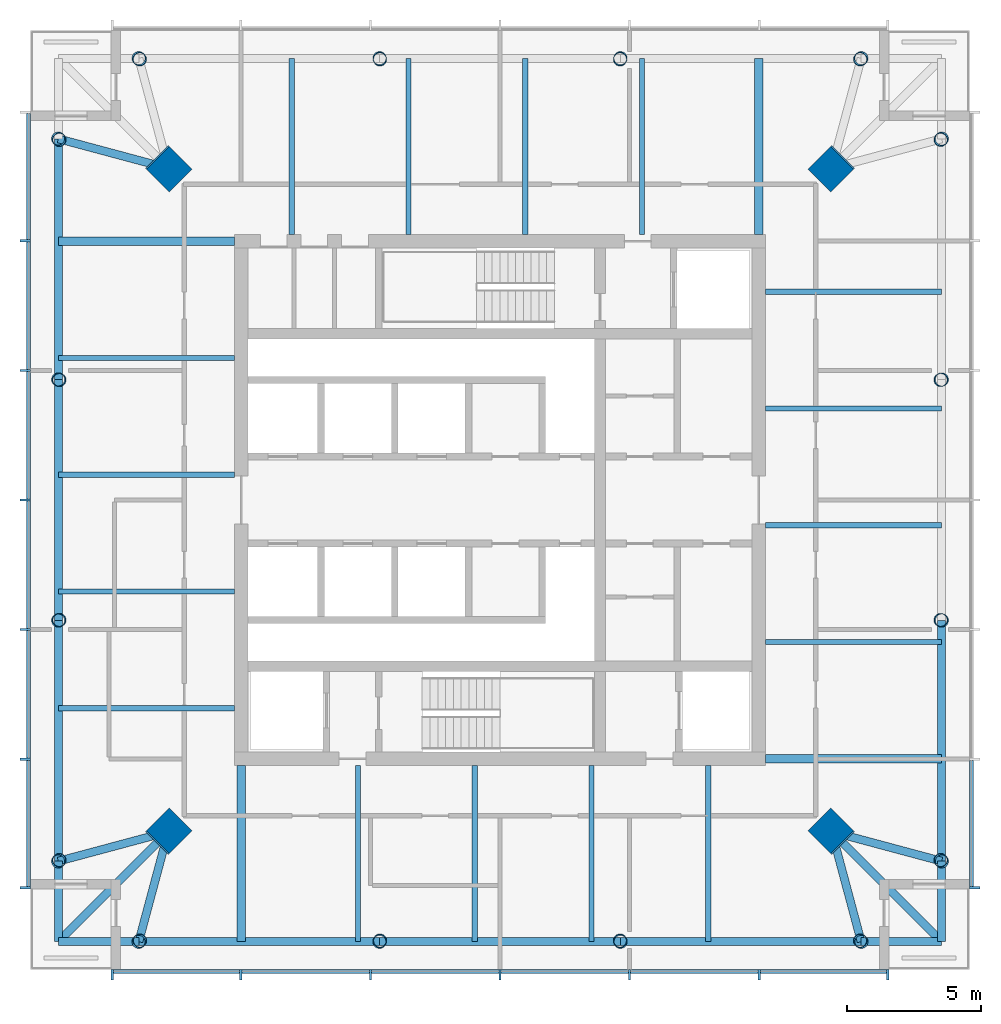
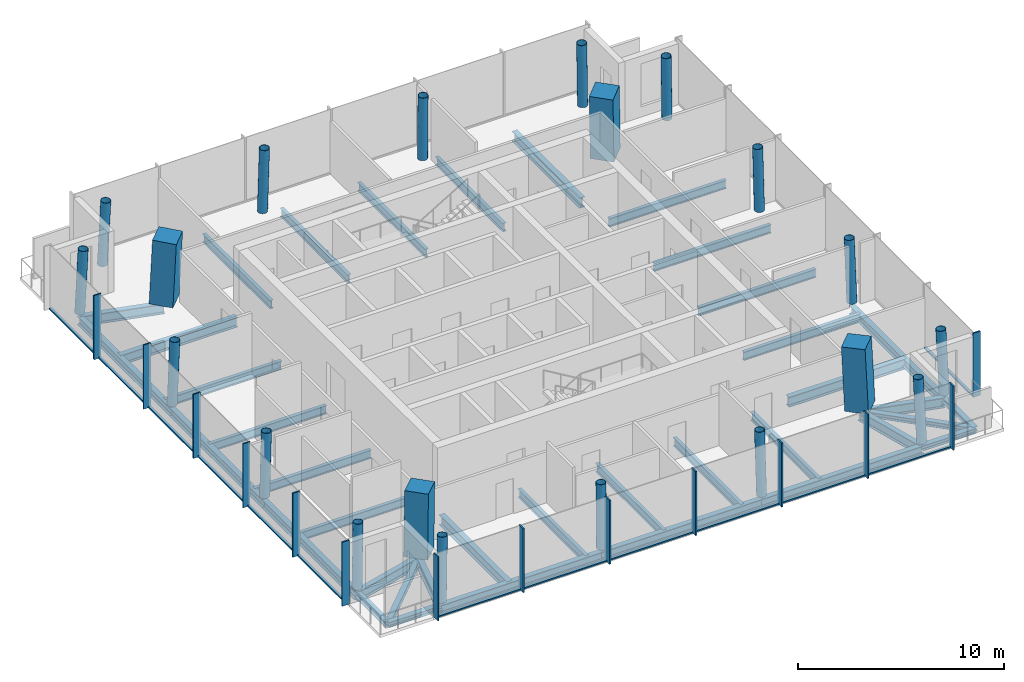
# One storey, part 1 of 7: 38 beams, 27 members, 20 columns, 3 elements without a shape of their own.
"""IFC4 building model written with IfcOpenShell, lengths in metres."""

import ifcopenshell
import ifcopenshell.guid

model = None  # the IFC model being written
_history = None  # IfcOwnerHistory: only IFC2X3 demands one
_inside = {}  # id of a spatial element -> (the spatial element, [elements in it])
_under = {}  # id of a project, library or spatial element -> (it, [spatial elements below it])
_declared = {}  # id of a project -> (the project, [libraries it declares])
_typed = {}  # id of a type object -> (the type object, [elements of that type])
_made_of = {}  # id of a material, layer set ... -> (it, [elements and type objects made of it])


def new_model(schema):
    """Start an empty IFC model of exactly this schema.

    Asked for "IFC4X3", IfcOpenShell would pick the latest addendum, in which some entities
    have other attributes; the version numbers below select the first issue.
    IFC2X3 requires an IfcOwnerHistory on every rooted entity: one is made here for all.
    """
    global model, _history
    if schema == "IFC4X3":
        model = ifcopenshell.file(schema_version=(4, 3, 0, 0))
    else:
        model = ifcopenshell.file(schema=schema)
    _inside.clear()
    _under.clear()
    _declared.clear()
    _typed.clear()
    _made_of.clear()
    _history = None
    if model.schema == "IFC2X3":
        org = make("IfcOrganization", Name="unknown")
        user = make(
            "IfcPersonAndOrganization",
            ThePerson=make("IfcPerson", FamilyName="unknown"),
            TheOrganization=org,
        )
        app = make(
            "IfcApplication",
            ApplicationDeveloper=org,
            Version="unknown",
            ApplicationFullName="unknown",
            ApplicationIdentifier="unknown",
        )
        _history = make(
            "IfcOwnerHistory",
            OwningUser=user,
            OwningApplication=app,
            ChangeAction="ADDED",
            CreationDate=0,
        )
    return model


def make(cls, **values):
    """One entity of the class cls with the attributes given. An attribute that is None is left unset."""
    return model.create_entity(
        cls, **{name: value for name, value in values.items() if value is not None}
    )


def rooted(cls, **values):
    """An entity with a GlobalId (a new one), such as an element, a storey or a relation."""
    return make(cls, GlobalId=ifcopenshell.guid.new(), OwnerHistory=_history, **values)


def si_unit(unit_type, name, prefix=None):
    """IfcSIUnit, for example si_unit("LENGTHUNIT", "METRE", prefix="MILLI")."""
    return make("IfcSIUnit", UnitType=unit_type, Prefix=prefix, Name=name)


def assignment(units):
    """IfcUnitAssignment: the units of a project."""
    return None if units is None else make("IfcUnitAssignment", Units=units)


def point(xyz):
    """IfcCartesianPoint."""
    return None if xyz is None else make("IfcCartesianPoint", Coordinates=xyz)


def direction(xyz):
    """IfcDirection."""
    return None if xyz is None else make("IfcDirection", DirectionRatios=xyz)


def frame(location, z_axis=None, x_axis=None):
    """IfcAxis2Placement3D, a coordinate frame: its origin and axes. An axis left out is left unset."""
    return make(
        "IfcAxis2Placement3D",
        Location=point(location),
        Axis=direction(z_axis),
        RefDirection=direction(x_axis),
    )


def frame_2d(location, x_axis=None):
    """IfcAxis2Placement2D, a coordinate frame in the plane: its origin and x axis."""
    return make(
        "IfcAxis2Placement2D", Location=point(location), RefDirection=direction(x_axis)
    )


def origin():
    """The frame at (0, 0, 0) with its axes left unset."""
    return frame((0.0, 0.0, 0.0))


def origin_2d():
    """The frame at (0, 0) in the plane with its x axis left unset."""
    return frame_2d((0.0, 0.0))


def place(relative_to, where):
    """IfcLocalPlacement: puts the frame where relative to a parent placement (None: the world)."""
    return make(
        "IfcLocalPlacement", PlacementRelTo=relative_to, RelativePlacement=where
    )


def context(
    kind, dimensions, precision=None, world=None, true_north=None, identifier=None
):
    """IfcGeometricRepresentationContext, for example the 3D "Model" context."""
    return make(
        "IfcGeometricRepresentationContext",
        ContextIdentifier=identifier,
        ContextType=kind,
        CoordinateSpaceDimension=dimensions,
        Precision=precision,
        WorldCoordinateSystem=world,
        TrueNorth=true_north,
    )


def subcontext(parent, identifier, kind, view, scale=None):
    """IfcGeometricRepresentationSubContext, for example "Body" below "Model"."""
    return make(
        "IfcGeometricRepresentationSubContext",
        ContextIdentifier=identifier,
        ContextType=kind,
        ParentContext=parent,
        TargetScale=scale,
        TargetView=view,
    )


def project(units=None, contexts=None):
    """IfcProject with its units and contexts."""
    return rooted(
        "IfcProject",
        Name="project",
        RepresentationContexts=contexts,
        UnitsInContext=assignment(units),
    )


def spatial(cls, under=None, at=None, **own):
    """A site, building, storey or space (cls), placed at a placement, below another one or the project."""
    s = rooted(cls, ObjectPlacement=at, **own)
    if under is not None:
        _under.setdefault(under.id(), (under, []))[1].append(s)
    return s


def profile(cls, at=None, kind="AREA", **sizes):
    """A parametric profile (cls). Its sizes go by their IFC names, for example OverallWidth=200.0."""
    return make(cls, ProfileType=kind, Position=at, **sizes)


def rectangle(**sizes):
    """IfcRectangleProfileDef."""
    return profile("IfcRectangleProfileDef", **sizes)


def hollow_circle(**sizes):
    """IfcCircleHollowProfileDef."""
    return profile("IfcCircleHollowProfileDef", **sizes)


def i_section(**sizes):
    """IfcIShapeProfileDef."""
    return profile("IfcIShapeProfileDef", **sizes)


def extrude(swept, where, along, depth):
    """IfcExtrudedAreaSolid: the profile swept, set in the frame where, extruded along a direction by depth."""
    return make(
        "IfcExtrudedAreaSolid",
        SweptArea=swept,
        Position=where,
        ExtrudedDirection=direction(along),
        Depth=depth,
    )


def shape(context_of_items, identifier, shape_type, items):
    """IfcShapeRepresentation: the items that make up one representation, for example the "Body"."""
    return make(
        "IfcShapeRepresentation",
        ContextOfItems=context_of_items,
        RepresentationIdentifier=identifier,
        RepresentationType=shape_type,
        Items=items,
    )


def material(Name=None, Category=None):
    """IfcMaterial."""
    return make("IfcMaterial", Name=Name, Category=Category)


def material_profile(
    of_material, cross_section, Name=None, Category=None, Priority=None
):
    """IfcMaterialProfile: a cross section and its material."""
    return make(
        "IfcMaterialProfile",
        Name=Name,
        Material=of_material,
        Profile=cross_section,
        Priority=Priority,
        Category=Category,
    )


def profile_set(profiles, Name=None, composite=None):
    """IfcMaterialProfileSet."""
    return make(
        "IfcMaterialProfileSet",
        Name=Name,
        MaterialProfiles=profiles,
        CompositeProfile=composite,
    )


def made_of(thing, what):
    """Note that an element or type object is made of a material, layer set ...; save() writes the relation."""
    if what is not None:
        _made_of.setdefault(what.id(), (what, []))[1].append(thing)
    return thing


def type_object(cls, material=None, **own):
    """A type object (cls), such as IfcWallType, which elements share."""
    return made_of(rooted(cls, **own), material)


def element(
    cls,
    number,
    at=None,
    inside=None,
    cuts=None,
    type_object=None,
    material=None,
    context=None,
    identifier="Body",
    shape_type=None,
    held_by="IfcProductDefinitionShape",
    body=None,
    shapes=None,
    **own,
):
    """One element of the class cls, such as IfcWall. Its Tag is "e" and its number.

    at: its placement. inside: the storey or other place that contains it. cuts: it is an
    opening in that element (IfcRelVoidsElement). A single representation is given by context,
    identifier, shape_type and body (its items); several are given by shapes. held_by: the class
    of the entity that holds the representations. save() writes the other relations.
    """
    e = rooted(cls, Tag="e%d" % number, ObjectPlacement=at, **own)
    if body is not None:
        shapes = [shape(context, identifier, shape_type, body)]
    if shapes is not None:
        e.Representation = make(held_by, Representations=shapes)
    if inside is not None:
        _inside.setdefault(inside.id(), (inside, []))[1].append(e)
    if cuts is not None:
        rooted(
            "IfcRelVoidsElement", RelatingBuildingElement=cuts, RelatedOpeningElement=e
        )
    if type_object is not None:
        _typed.setdefault(type_object.id(), (type_object, []))[1].append(e)
    return made_of(e, material)


def aggregate(whole, parts):
    """IfcRelAggregates: a whole, such as a stair, and the parts it consists of."""
    return rooted("IfcRelAggregates", RelatingObject=whole, RelatedObjects=parts)


def save(model, path):
    """Write the relations noted so far, then the file.

    IfcRelAggregates (storeys below a building ...), IfcRelContainedInSpatialStructure (elements
    in a storey), IfcRelDefinesByType, IfcRelAssociatesMaterial and IfcRelDeclares: one each for
    every whole, place, type object, material and project.
    """
    for whole, parts in _under.values():
        aggregate(whole, parts)
    for where, things in _inside.values():
        rooted(
            "IfcRelContainedInSpatialStructure",
            RelatedElements=things,
            RelatingStructure=where,
        )
    for kind, things in _typed.values():
        rooted("IfcRelDefinesByType", RelatedObjects=things, RelatingType=kind)
    for what, things in _made_of.values():
        rooted("IfcRelAssociatesMaterial", RelatedObjects=things, RelatingMaterial=what)
    for by, libraries in _declared.values():
        rooted("IfcRelDeclares", RelatingContext=by, RelatedDefinitions=libraries)
    model.write(path)


model = new_model("IFC4")

# Units and contexts
model_context = context("Model", 3, precision=1e-05, world=origin(), true_north=direction((0.0, 1.0)))
body_context = subcontext(model_context, "Body", "Model", "MODEL_VIEW")
ifc_project = project(units=[si_unit("LENGTHUNIT", "METRE"), si_unit("AREAUNIT", "SQUARE_METRE"), si_unit("VOLUMEUNIT", "CUBIC_METRE"), si_unit("PLANEANGLEUNIT", "RADIAN"), si_unit("MASSUNIT", "GRAM", prefix="KILO")], contexts=[model_context])

# Site, building, storey
site_placement = place(None, origin())
site = spatial("IfcSite", under=ifc_project, at=site_placement, CompositionType="ELEMENT")
building_placement = place(site_placement, origin())
building = spatial("IfcBuilding", under=site, at=building_placement, Name="Ostroluk Exchange", CompositionType="ELEMENT")
storey_placement = place(building_placement, frame((0.0, 0.0, 256.60009765625)))
storey = spatial("IfcBuildingStorey", under=building, at=storey_placement, Name="L66", CompositionType="ELEMENT", Elevation=256.60009765625)

# Columns
ifc_material_1 = material(Name="Concrete C50/60", Category="concrete")
ifc_material_profile_1 = material_profile(ifc_material_1, rectangle(XDim=1.199951171875, YDim=1.199951171875, at=origin_2d()), Name="RC 1200x1200")
ifc_profile_set_1 = profile_set([ifc_material_profile_1], Name="Concrete C50/60")
column_type_1 = type_object("IfcColumnType", Name="Mega column RC 1200x1200", PredefinedType="COLUMN", material=ifc_profile_set_1)
for number, where, z_axis, x_axis, name in (
    (1, (57.371337890625, 58.371337890625, 0.0), (-0.031900153262, -0.031900153262, 0.998981861919), (0.707106781187, -0.707106781187, 0.0), "T1 mega column NE"),
    (2, (32.628662109375, 58.371337890625, 0.0), (0.031900153262, -0.031900153262, 0.998981861919), (0.707106781187, 0.707106781187, 0.0), "T1 mega column NW"),
    (3, (32.628662109375, 33.628662109375, 0.0), (0.031900153262, 0.031900153262, 0.998981861919), (-0.707106781187, 0.707106781187, 0.0), "T1 mega column SW"),
    (4, (57.371337890625, 33.628662109375, 0.0), (-0.031900153262, 0.031900153262, 0.998981861919), (-0.707106781187, -0.707106781187, 0.0), "T1 mega column SE"),
):
    element("IfcColumn", number, at=place(storey_placement, frame(where, z_axis=z_axis, x_axis=x_axis)), inside=storey, type_object=column_type_1, Name=name, PredefinedType="COLUMN", context=body_context, shape_type="SweptSolid", body=[
        extrude(rectangle(XDim=1.199951171875, YDim=1.199951171875, at=origin_2d()), origin(), (0.0, 0.0, 1.0), 3.8037109375),
    ])
ifc_material_2 = material(Name="Steel S460", Category="steel")
ifc_material_profile_2 = material_profile(ifc_material_2, hollow_circle(Radius=0.25390625, WallThickness=0.02001953125, at=origin_2d()), Name="CHS 508x20")
ifc_profile_set_2 = profile_set([ifc_material_profile_2], Name="Steel S460")
column_type_2 = type_object("IfcColumnType", Name="Perimeter column CHS 508x20", PredefinedType="COLUMN", material=ifc_profile_set_2)
for number, where, z_axis, x_axis, name in (
    (5, (61.471435546875, 32.528564453125, 0.0), (-0.031900153262, 0.031900153262, 0.998981861919), (-0.707106781187, -0.707106781187, 0.0), "T1 east face column E0"),
    (6, (61.471435546875, 59.471435546875, 0.0), (-0.031900153262, -0.031900153262, 0.998981861919), (0.707106781187, -0.707106781187, 0.0), "T1 east face column E1"),
):
    element("IfcColumn", number, at=place(storey_placement, frame(where, z_axis=z_axis, x_axis=x_axis)), inside=storey, type_object=column_type_2, Name=name, PredefinedType="COLUMN", context=body_context, shape_type="SweptSolid", body=[
        extrude(hollow_circle(Radius=0.25390625, WallThickness=0.02001953125, at=origin_2d()), origin(), (0.0, 0.0, 1.0), 3.8037109375),
    ])
for number, where, z_axis, x_axis, name in (
    (7, (61.471435546875, 41.509521484375, 0.0), (-0.031914583439, 0.010659599298, 0.999433755837), (-0.316800238982, -0.948492281772, 0.0), "T1 east face column I1"),
    (8, (61.471435546875, 50.490478515625, 0.0), (-0.031914583439, -0.010659599298, 0.999433755837), (0.316800238982, -0.948492281772, 0.0), "T1 east face column I2"),
):
    element("IfcColumn", number, at=place(storey_placement, frame(where, z_axis=z_axis, x_axis=x_axis)), inside=storey, type_object=column_type_2, Name=name, PredefinedType="COLUMN", context=body_context, shape_type="SweptSolid", body=[
        extrude(hollow_circle(Radius=0.25390625, WallThickness=0.02001953125, at=origin_2d()), origin(), (0.0, 0.0, 1.0), 3.802001953125),
    ])
for number, where, z_axis, x_axis, name in (
    (9, (58.471435546875, 62.471435546875, 0.0), (-0.031900153262, -0.031900153262, 0.998981861919), (0.707106781187, -0.707106781187, 0.0), "T1 north face column E0"),
    (10, (31.528564453125, 62.471435546875, 0.0), (0.031900153262, -0.031900153262, 0.998981861919), (0.707106781187, 0.707106781187, 0.0), "T1 north face column E1"),
):
    element("IfcColumn", number, at=place(storey_placement, frame(where, z_axis=z_axis, x_axis=x_axis)), inside=storey, type_object=column_type_2, Name=name, PredefinedType="COLUMN", context=body_context, shape_type="SweptSolid", body=[
        extrude(hollow_circle(Radius=0.25390625, WallThickness=0.02001953125, at=origin_2d()), origin(), (0.0, 0.0, 1.0), 3.8037109375),
    ])
for number, where, z_axis, x_axis, name in (
    (11, (49.490478515625, 62.471435546875, 0.0), (-0.010659599298, -0.031914583439, 0.999433755837), (0.948492281772, -0.316800238982, 0.0), "T1 north face column I1"),
    (12, (40.509521484375, 62.471435546875, 0.0), (0.010659599298, -0.031914583439, 0.999433755837), (0.948492281772, 0.316800238982, 0.0), "T1 north face column I2"),
):
    element("IfcColumn", number, at=place(storey_placement, frame(where, z_axis=z_axis, x_axis=x_axis)), inside=storey, type_object=column_type_2, Name=name, PredefinedType="COLUMN", context=body_context, shape_type="SweptSolid", body=[
        extrude(hollow_circle(Radius=0.25390625, WallThickness=0.02001953125, at=origin_2d()), origin(), (0.0, 0.0, 1.0), 3.802001953125),
    ])
for number, where, z_axis, x_axis, name in (
    (13, (28.528564453125, 59.471435546875, 0.0), (0.031900153262, -0.031900153262, 0.998981861919), (0.707106781187, 0.707106781187, 0.0), "T1 west face column E0"),
    (14, (28.528564453125, 32.528564453125, 0.0), (0.031900153262, 0.031900153262, 0.998981861919), (-0.707106781187, 0.707106781187, 0.0), "T1 west face column E1"),
):
    element("IfcColumn", number, at=place(storey_placement, frame(where, z_axis=z_axis, x_axis=x_axis)), inside=storey, type_object=column_type_2, Name=name, PredefinedType="COLUMN", context=body_context, shape_type="SweptSolid", body=[
        extrude(hollow_circle(Radius=0.25390625, WallThickness=0.02001953125, at=origin_2d()), origin(), (0.0, 0.0, 1.0), 3.8037109375),
    ])
for number, where, z_axis, x_axis, name in (
    (15, (28.528564453125, 50.490478515625, 0.0), (0.031914583439, -0.010659599298, 0.999433755837), (0.316800238982, 0.948492281772, 0.0), "T1 west face column I1"),
    (16, (28.528564453125, 41.509521484375, 0.0), (0.031914583439, 0.010659599298, 0.999433755837), (-0.316800238982, 0.948492281772, 0.0), "T1 west face column I2"),
):
    element("IfcColumn", number, at=place(storey_placement, frame(where, z_axis=z_axis, x_axis=x_axis)), inside=storey, type_object=column_type_2, Name=name, PredefinedType="COLUMN", context=body_context, shape_type="SweptSolid", body=[
        extrude(hollow_circle(Radius=0.25390625, WallThickness=0.02001953125, at=origin_2d()), origin(), (0.0, 0.0, 1.0), 3.802001953125),
    ])
for number, where, z_axis, x_axis, name in (
    (17, (31.528564453125, 29.528564453125, 0.0), (0.031900153262, 0.031900153262, 0.998981861919), (-0.707106781187, 0.707106781187, 0.0), "T1 south face column E0"),
    (18, (58.471435546875, 29.528564453125, 0.0), (-0.031900153262, 0.031900153262, 0.998981861919), (-0.707106781187, -0.707106781187, 0.0), "T1 south face column E1"),
):
    element("IfcColumn", number, at=place(storey_placement, frame(where, z_axis=z_axis, x_axis=x_axis)), inside=storey, type_object=column_type_2, Name=name, PredefinedType="COLUMN", context=body_context, shape_type="SweptSolid", body=[
        extrude(hollow_circle(Radius=0.25390625, WallThickness=0.02001953125, at=origin_2d()), origin(), (0.0, 0.0, 1.0), 3.8037109375),
    ])
for number, where, z_axis, x_axis, name in (
    (19, (40.509521484375, 29.528564453125, 0.0), (0.010659599298, 0.031914583439, 0.999433755837), (-0.948492281772, 0.316800238982, 0.0), "T1 south face column I1"),
    (20, (49.490478515625, 29.528564453125, 0.0), (-0.010659599298, 0.031914583439, 0.999433755837), (-0.948492281772, -0.316800238982, 0.0), "T1 south face column I2"),
):
    element("IfcColumn", number, at=place(storey_placement, frame(where, z_axis=z_axis, x_axis=x_axis)), inside=storey, type_object=column_type_2, Name=name, PredefinedType="COLUMN", context=body_context, shape_type="SweptSolid", body=[
        extrude(hollow_circle(Radius=0.25390625, WallThickness=0.02001953125, at=origin_2d()), origin(), (0.0, 0.0, 1.0), 3.802001953125),
    ])

# Beams
ifc_material_3 = material(Name="Steel S355", Category="steel")
ifc_material_profile_3 = material_profile(ifc_material_3, i_section(OverallWidth=0.300048828125, OverallDepth=0.300048828125, WebThickness=0.010986328125, FlangeThickness=0.01904296875, FilletRadius=0.027099609375, at=origin_2d()), Name="HEB 300")
ifc_profile_set_3 = profile_set([ifc_material_profile_3], Name="Steel S355")
beam_type_1 = type_object("IfcBeamType", Name="Balcony beam HEB 300", PredefinedType="BEAM", material=ifc_profile_set_3)
for number, where, z_axis, x_axis, name in (
    (21, (28.528564453125, 32.528564453125, -0.330078125), (0.0, -1.0, 0.0), (1.0, 0.0, 0.0), "T1 west balcony beam a"),
    (22, (31.528564453125, 29.528564453125, -0.330078125), (-1.0, 0.0, 0.0), (0.0, -1.0, 0.0), "T1 west balcony beam b"),
):
    element("IfcBeam", number, at=place(storey_placement, frame(where, z_axis=z_axis, x_axis=x_axis)), inside=storey, type_object=beam_type_1, Name=name, PredefinedType="BEAM", context=body_context, shape_type="SweptSolid", body=[
        extrude(i_section(OverallWidth=0.300048828125, OverallDepth=0.300048828125, WebThickness=0.010986328125, FlangeThickness=0.01904296875, FilletRadius=0.027099609375, at=origin_2d()), origin(), (0.0, 0.0, 1.0), 3.0),
    ])
beam_1_placement = place(storey_placement, frame((32.628662109375, 33.628662109375, -0.330078125), z_axis=(-0.707106781187, -0.707106781187, 0.0), x_axis=(0.707106781187, -0.707106781187, 0.0)))
element("IfcBeam", 23, at=beam_1_placement, inside=storey, type_object=beam_type_1, Name="T1 west balcony beam c", PredefinedType="BEAM", context=body_context, shape_type="SweptSolid", body=[
    extrude(i_section(OverallWidth=0.300048828125, OverallDepth=0.300048828125, WebThickness=0.010986328125, FlangeThickness=0.01904296875, FilletRadius=0.027099609375, at=origin_2d()), origin(), (0.0, 0.0, 1.0), 5.79833984375),
])
for number, where, z_axis, x_axis, name in (
    (24, (58.471435546875, 29.528564453125, -0.330078125), (1.0, 0.0, 0.0), (0.0, 1.0, 0.0), "T1 south balcony beam a"),
    (25, (61.471435546875, 32.528564453125, -0.330078125), (0.0, -1.0, 0.0), (1.0, 0.0, 0.0), "T1 south balcony beam b"),
):
    element("IfcBeam", number, at=place(storey_placement, frame(where, z_axis=z_axis, x_axis=x_axis)), inside=storey, type_object=beam_type_1, Name=name, PredefinedType="BEAM", context=body_context, shape_type="SweptSolid", body=[
        extrude(i_section(OverallWidth=0.300048828125, OverallDepth=0.300048828125, WebThickness=0.010986328125, FlangeThickness=0.01904296875, FilletRadius=0.027099609375, at=origin_2d()), origin(), (0.0, 0.0, 1.0), 3.0),
    ])
beam_2_placement = place(storey_placement, frame((57.371337890625, 33.628662109375, -0.330078125), z_axis=(0.707106781187, -0.707106781187, 0.0), x_axis=(0.707106781187, 0.707106781187, 0.0)))
element("IfcBeam", 26, at=beam_2_placement, inside=storey, type_object=beam_type_1, Name="T1 south balcony beam c", PredefinedType="BEAM", context=body_context, shape_type="SweptSolid", body=[
    extrude(i_section(OverallWidth=0.300048828125, OverallDepth=0.300048828125, WebThickness=0.010986328125, FlangeThickness=0.01904296875, FilletRadius=0.027099609375, at=origin_2d()), origin(), (0.0, 0.0, 1.0), 5.79833984375),
])
ifc_material_4 = material(Name="Steel S355", Category="steel")
ifc_material_profile_4 = material_profile(ifc_material_4, i_section(OverallWidth=0.300048828125, OverallDepth=0.60009765625, WebThickness=0.015380859375, FlangeThickness=0.030029296875, FilletRadius=0.027099609375, at=origin_2d()), Name="HEB 600")
ifc_profile_set_4 = profile_set([ifc_material_profile_4], Name="Steel S355")
beam_type_2 = type_object("IfcBeamType", Name="Corner edge beam HEB 600", PredefinedType="SPANDREL", material=ifc_profile_set_4)
for number, where, z_axis, x_axis, name in (
    (27, (32.628662109375, 58.371337890625, -0.47998046875), (-0.965838624319, 0.259144268261, 0.0), (-0.259144268261, -0.965838624319, 0.0), "T1 north corner edge beam b"),
    (28, (32.628662109375, 33.628662109375, -0.47998046875), (-0.965838624319, -0.259144268261, 0.0), (0.259144268261, -0.965838624319, 0.0), "T1 west corner edge beam a"),
    (29, (32.628662109375, 33.628662109375, -0.47998046875), (-0.259144268261, -0.965838624319, 0.0), (0.965838624319, -0.259144268261, 0.0), "T1 west corner edge beam b"),
    (30, (57.371337890625, 33.628662109375, -0.47998046875), (0.259144268261, -0.965838624319, 0.0), (0.965838624319, 0.259144268261, 0.0), "T1 south corner edge beam a"),
    (31, (57.371337890625, 33.628662109375, -0.47998046875), (0.965838624319, -0.259144268261, 0.0), (0.259144268261, 0.965838624319, 0.0), "T1 south corner edge beam b"),
):
    element("IfcBeam", number, at=place(storey_placement, frame(where, z_axis=z_axis, x_axis=x_axis)), inside=storey, type_object=beam_type_2, Name=name, PredefinedType="SPANDREL", context=body_context, shape_type="SweptSolid", body=[
        extrude(i_section(OverallWidth=0.300048828125, OverallDepth=0.60009765625, WebThickness=0.015380859375, FlangeThickness=0.030029296875, FilletRadius=0.027099609375, at=origin_2d()), origin(), (0.0, 0.0, 1.0), 4.2451171875),
    ])
ifc_material_5 = material(Name="Steel S355", Category="steel")
ifc_material_profile_5 = material_profile(ifc_material_5, i_section(OverallWidth=0.199951171875, OverallDepth=0.5, WebThickness=0.01025390625, FlangeThickness=0.01611328125, FilletRadius=0.02099609375, at=origin_2d()), Name="IPE 500")
ifc_profile_set_5 = profile_set([ifc_material_profile_5], Name="Steel S355")
beam_type_3 = type_object("IfcBeamType", Name="Floor beam IPE 500", PredefinedType="BEAM", material=ifc_profile_set_5)
for number, where, z_axis, x_axis, name in (
    (32, (54.89990234375, 40.70361328125, -0.43017578125), (1.0, 0.0, 0.0), (0.0, 1.0, 0.0), "T1 east floor beam 1"),
    (33, (54.89990234375, 45.05712890625, -0.43017578125), (1.0, 0.0, 0.0), (0.0, 1.0, 0.0), "T1 east floor beam 2"),
    (34, (54.89990234375, 49.41064453125, -0.43017578125), (1.0, 0.0, 0.0), (0.0, 1.0, 0.0), "T1 east floor beam 3"),
    (35, (54.89990234375, 53.764404296875, -0.43017578125), (1.0, 0.0, 0.0), (0.0, 1.0, 0.0), "T1 east floor beam 4"),
    (36, (50.29638671875, 55.89990234375, -0.43017578125), (0.0, 1.0, 0.0), (-1.0, 0.0, 0.0), "T1 north floor beam 1"),
    (37, (45.94287109375, 55.89990234375, -0.43017578125), (0.0, 1.0, 0.0), (-1.0, 0.0, 0.0), "T1 north floor beam 2"),
    (38, (41.58935546875, 55.89990234375, -0.43017578125), (0.0, 1.0, 0.0), (-1.0, 0.0, 0.0), "T1 north floor beam 3"),
    (39, (37.235595703125, 55.89990234375, -0.43017578125), (0.0, 1.0, 0.0), (-1.0, 0.0, 0.0), "T1 north floor beam 4"),
    (40, (35.10009765625, 51.29638671875, -0.43017578125), (-1.0, 0.0, 0.0), (0.0, -1.0, 0.0), "T1 west floor beam 1"),
    (41, (35.10009765625, 46.94287109375, -0.43017578125), (-1.0, 0.0, 0.0), (0.0, -1.0, 0.0), "T1 west floor beam 2"),
    (42, (35.10009765625, 42.58935546875, -0.43017578125), (-1.0, 0.0, 0.0), (0.0, -1.0, 0.0), "T1 west floor beam 3"),
    (43, (35.10009765625, 38.235595703125, -0.43017578125), (-1.0, 0.0, 0.0), (0.0, -1.0, 0.0), "T1 west floor beam 4"),
    (44, (39.70361328125, 36.10009765625, -0.43017578125), (0.0, -1.0, 0.0), (1.0, 0.0, 0.0), "T1 south floor beam 1"),
    (45, (44.05712890625, 36.10009765625, -0.43017578125), (0.0, -1.0, 0.0), (1.0, 0.0, 0.0), "T1 south floor beam 2"),
    (46, (48.41064453125, 36.10009765625, -0.43017578125), (0.0, -1.0, 0.0), (1.0, 0.0, 0.0), "T1 south floor beam 3"),
    (47, (52.764404296875, 36.10009765625, -0.43017578125), (0.0, -1.0, 0.0), (1.0, 0.0, 0.0), "T1 south floor beam 4"),
):
    element("IfcBeam", number, at=place(storey_placement, frame(where, z_axis=z_axis, x_axis=x_axis)), inside=storey, type_object=beam_type_3, Name=name, PredefinedType="BEAM", context=body_context, shape_type="SweptSolid", body=[
        extrude(i_section(OverallWidth=0.199951171875, OverallDepth=0.5, WebThickness=0.01025390625, FlangeThickness=0.01611328125, FilletRadius=0.02099609375, at=origin_2d()), origin(), (0.0, 0.0, 1.0), 6.571533203125),
    ])
ifc_material_6 = material(Name="Steel S355", Category="steel")
ifc_material_profile_6 = material_profile(ifc_material_6, i_section(OverallWidth=0.300048828125, OverallDepth=0.60009765625, WebThickness=0.015380859375, FlangeThickness=0.030029296875, FilletRadius=0.027099609375, at=origin_2d()), Name="HEB 600")
ifc_profile_set_6 = profile_set([ifc_material_profile_6], Name="Steel S355")
beam_type_4 = type_object("IfcBeamType", Name="Girder HEB 600", PredefinedType="BEAM", material=ifc_profile_set_6)
for number, where, z_axis, x_axis, name in (
    (48, (54.64990234375, 55.89990234375, -0.47998046875), (0.0, 1.0, 0.0), (-1.0, 0.0, 0.0), "T1 east girder"),
    (49, (35.10009765625, 55.64990234375, -0.47998046875), (-1.0, 0.0, 0.0), (0.0, -1.0, 0.0), "T1 north girder"),
    (50, (35.35009765625, 36.10009765625, -0.47998046875), (0.0, -1.0, 0.0), (1.0, 0.0, 0.0), "T1 west girder"),
    (51, (54.89990234375, 36.35009765625, -0.47998046875), (1.0, 0.0, 0.0), (0.0, 1.0, 0.0), "T1 south girder"),
):
    element("IfcBeam", number, at=place(storey_placement, frame(where, z_axis=z_axis, x_axis=x_axis)), inside=storey, type_object=beam_type_4, Name=name, PredefinedType="BEAM", context=body_context, shape_type="SweptSolid", body=[
        extrude(i_section(OverallWidth=0.300048828125, OverallDepth=0.60009765625, WebThickness=0.015380859375, FlangeThickness=0.030029296875, FilletRadius=0.027099609375, at=origin_2d()), origin(), (0.0, 0.0, 1.0), 6.571533203125),
    ])
ifc_material_7 = material(Name="Steel S355", Category="steel")
ifc_material_profile_7 = material_profile(ifc_material_7, i_section(OverallWidth=0.300048828125, OverallDepth=0.5, WebThickness=0.014404296875, FlangeThickness=0.028076171875, FilletRadius=0.027099609375, at=origin_2d()), Name="HEB 500")
ifc_profile_set_7 = profile_set([ifc_material_profile_7], Name="Steel S355")
beam_type_5 = type_object("IfcBeamType", Name="Moment-connected edge beam HEB 500", PredefinedType="SPANDREL", material=ifc_profile_set_7)
for number, where, z_axis, x_axis, name in (
    (52, (61.471435546875, 32.528564453125, -0.43017578125), (0.0, 1.0, 0.0), (-1.0, 0.0, 0.0), "T1 east edge beam 1"),
    (53, (28.528564453125, 59.471435546875, -0.43017578125), (0.0, -1.0, 0.0), (1.0, 0.0, 0.0), "T1 west edge beam 1"),
    (54, (28.528564453125, 50.490478515625, -0.43017578125), (0.0, -1.0, 0.0), (1.0, 0.0, 0.0), "T1 west edge beam 2"),
    (55, (28.528564453125, 41.509521484375, -0.43017578125), (0.0, -1.0, 0.0), (1.0, 0.0, 0.0), "T1 west edge beam 3"),
    (56, (31.528564453125, 29.528564453125, -0.43017578125), (1.0, 0.0, 0.0), (0.0, 1.0, 0.0), "T1 south edge beam 1"),
    (57, (40.509521484375, 29.528564453125, -0.43017578125), (1.0, 0.0, 0.0), (0.0, 1.0, 0.0), "T1 south edge beam 2"),
    (58, (49.490478515625, 29.528564453125, -0.43017578125), (1.0, 0.0, 0.0), (0.0, 1.0, 0.0), "T1 south edge beam 3"),
):
    element("IfcBeam", number, at=place(storey_placement, frame(where, z_axis=z_axis, x_axis=x_axis)), inside=storey, type_object=beam_type_5, Name=name, PredefinedType="SPANDREL", context=body_context, shape_type="SweptSolid", body=[
        extrude(i_section(OverallWidth=0.300048828125, OverallDepth=0.5, WebThickness=0.014404296875, FlangeThickness=0.028076171875, FilletRadius=0.027099609375, at=origin_2d()), origin(), (0.0, 0.0, 1.0), 8.98095703125),
    ])

# Curtain wall, members
ifc_material_8 = material(Name="Laminated clear glass", Category="glass")
curtain_wall_type = type_object("IfcCurtainWallType", Name="Office tower facade", PredefinedType="USERDEFINED", material=ifc_material_8)
curtain_wall_1_placement = place(storey_placement, origin())
curtain_wall_1 = element("IfcCurtainWall", 59, at=curtain_wall_1_placement, inside=storey, type_object=curtain_wall_type, Name="Office tower south facade L66", ObjectType="UNITISED CURTAIN WALL", PredefinedType="USERDEFINED")
ifc_material_9 = material(Name="Aluminium mullion", Category="aluminium")
ifc_material_profile_8 = material_profile(ifc_material_9, rectangle(XDim=0.14990234375, YDim=0.080078125, at=origin_2d()), Name="Sill transom 80 x 150")
ifc_profile_set_8 = profile_set([ifc_material_profile_8], Name="Aluminium mullion")
member_type_1 = type_object("IfcMemberType", Name="Sill transom 80 x 150", PredefinedType="USERDEFINED", material=ifc_profile_set_8)
member_1_placement = place(storey_placement, frame((30.580078125, 28.425048828125, 0.039794921875), z_axis=(1.0, 0.0, 0.0), x_axis=(0.0, 1.0, 0.0)))
member_1 = element("IfcMember", 60, at=member_1_placement, type_object=member_type_1, Name="CW-O1 transom 1.1", ObjectType="TRANSOM", PredefinedType="USERDEFINED", context=body_context, shape_type="SweptSolid", body=[
    extrude(rectangle(XDim=0.14990234375, YDim=0.080078125, at=origin_2d()), origin(), (0.0, 0.0, 1.0), 4.713134765625),
])
member_2_placement = place(storey_placement, frame((35.373291015625, 28.425048828125, 0.039794921875), z_axis=(1.0, 0.0, 0.0), x_axis=(0.0, 1.0, 0.0)))
member_2 = element("IfcMember", 61, at=member_2_placement, type_object=member_type_1, Name="CW-O1 transom 2.1", ObjectType="TRANSOM", PredefinedType="USERDEFINED", context=body_context, shape_type="SweptSolid", body=[
    extrude(rectangle(XDim=0.14990234375, YDim=0.080078125, at=origin_2d()), origin(), (0.0, 0.0, 1.0), 4.75341796875),
])
member_3_placement = place(storey_placement, frame((40.206787109375, 28.425048828125, 0.039794921875), z_axis=(1.0, 0.0, 0.0), x_axis=(0.0, 1.0, 0.0)))
member_3 = element("IfcMember", 62, at=member_3_placement, type_object=member_type_1, Name="CW-O1 transom 3.1", ObjectType="TRANSOM", PredefinedType="USERDEFINED", context=body_context, shape_type="SweptSolid", body=[
    extrude(rectangle(XDim=0.14990234375, YDim=0.080078125, at=origin_2d()), origin(), (0.0, 0.0, 1.0), 4.753173828125),
])
member_4_placement = place(storey_placement, frame((45.0400390625, 28.425048828125, 0.039794921875), z_axis=(1.0, 0.0, 0.0), x_axis=(0.0, 1.0, 0.0)))
member_4 = element("IfcMember", 63, at=member_4_placement, type_object=member_type_1, Name="CW-O1 transom 4.1", ObjectType="TRANSOM", PredefinedType="USERDEFINED", context=body_context, shape_type="SweptSolid", body=[
    extrude(rectangle(XDim=0.14990234375, YDim=0.080078125, at=origin_2d()), origin(), (0.0, 0.0, 1.0), 4.753173828125),
])
member_5_placement = place(storey_placement, frame((49.873291015625, 28.425048828125, 0.039794921875), z_axis=(1.0, 0.0, 0.0), x_axis=(0.0, 1.0, 0.0)))
member_5 = element("IfcMember", 64, at=member_5_placement, type_object=member_type_1, Name="CW-O1 transom 5.1", ObjectType="TRANSOM", PredefinedType="USERDEFINED", context=body_context, shape_type="SweptSolid", body=[
    extrude(rectangle(XDim=0.14990234375, YDim=0.080078125, at=origin_2d()), origin(), (0.0, 0.0, 1.0), 4.75341796875),
])
member_6_placement = place(storey_placement, frame((54.706787109375, 28.425048828125, 0.039794921875), z_axis=(1.0, 0.0, 0.0), x_axis=(0.0, 1.0, 0.0)))
member_6 = element("IfcMember", 65, at=member_6_placement, type_object=member_type_1, Name="CW-O1 transom 6.1", ObjectType="TRANSOM", PredefinedType="USERDEFINED", context=body_context, shape_type="SweptSolid", body=[
    extrude(rectangle(XDim=0.14990234375, YDim=0.080078125, at=origin_2d()), origin(), (0.0, 0.0, 1.0), 4.713134765625),
])

# Curtain wall, member
curtain_wall_2_placement = place(storey_placement, origin())
curtain_wall_2 = element("IfcCurtainWall", 66, at=curtain_wall_2_placement, inside=storey, type_object=curtain_wall_type, Name="Office tower east facade L66", ObjectType="UNITISED CURTAIN WALL", PredefinedType="USERDEFINED")
member_7_placement = place(storey_placement, frame((62.574951171875, 31.580078125, 0.039794921875), z_axis=(0.0, 1.0, 0.0), x_axis=(-1.0, 0.0, 0.0)))
member_7 = element("IfcMember", 67, at=member_7_placement, type_object=member_type_1, Name="CW-O1 transom 1.1", ObjectType="TRANSOM", PredefinedType="USERDEFINED", context=body_context, shape_type="SweptSolid", body=[
    extrude(rectangle(XDim=0.14990234375, YDim=0.080078125, at=origin_2d()), origin(), (0.0, 0.0, 1.0), 4.713134765625),
])

# Curtain wall, members
curtain_wall_3_placement = place(storey_placement, origin())
curtain_wall_3 = element("IfcCurtainWall", 68, at=curtain_wall_3_placement, inside=storey, type_object=curtain_wall_type, Name="Office tower west facade L66", ObjectType="UNITISED CURTAIN WALL", PredefinedType="USERDEFINED")
member_8_placement = place(storey_placement, frame((27.425048828125, 60.419921875, 0.039794921875), z_axis=(0.0, -1.0, 0.0), x_axis=(1.0, 0.0, 0.0)))
member_8 = element("IfcMember", 69, at=member_8_placement, type_object=member_type_1, Name="CW-O1 transom 1.1", ObjectType="TRANSOM", PredefinedType="USERDEFINED", context=body_context, shape_type="SweptSolid", body=[
    extrude(rectangle(XDim=0.14990234375, YDim=0.080078125, at=origin_2d()), origin(), (0.0, 0.0, 1.0), 4.713134765625),
])
member_9_placement = place(storey_placement, frame((27.425048828125, 55.626708984375, 0.039794921875), z_axis=(0.0, -1.0, 0.0), x_axis=(1.0, 0.0, 0.0)))
member_9 = element("IfcMember", 70, at=member_9_placement, type_object=member_type_1, Name="CW-O1 transom 2.1", ObjectType="TRANSOM", PredefinedType="USERDEFINED", context=body_context, shape_type="SweptSolid", body=[
    extrude(rectangle(XDim=0.14990234375, YDim=0.080078125, at=origin_2d()), origin(), (0.0, 0.0, 1.0), 4.75341796875),
])
member_10_placement = place(storey_placement, frame((27.425048828125, 50.793212890625, 0.039794921875), z_axis=(0.0, -1.0, 0.0), x_axis=(1.0, 0.0, 0.0)))
member_10 = element("IfcMember", 71, at=member_10_placement, type_object=member_type_1, Name="CW-O1 transom 3.1", ObjectType="TRANSOM", PredefinedType="USERDEFINED", context=body_context, shape_type="SweptSolid", body=[
    extrude(rectangle(XDim=0.14990234375, YDim=0.080078125, at=origin_2d()), origin(), (0.0, 0.0, 1.0), 4.753173828125),
])
member_11_placement = place(storey_placement, frame((27.425048828125, 45.9599609375, 0.039794921875), z_axis=(0.0, -1.0, 0.0), x_axis=(1.0, 0.0, 0.0)))
member_11 = element("IfcMember", 72, at=member_11_placement, type_object=member_type_1, Name="CW-O1 transom 4.1", ObjectType="TRANSOM", PredefinedType="USERDEFINED", context=body_context, shape_type="SweptSolid", body=[
    extrude(rectangle(XDim=0.14990234375, YDim=0.080078125, at=origin_2d()), origin(), (0.0, 0.0, 1.0), 4.753173828125),
])
member_12_placement = place(storey_placement, frame((27.425048828125, 41.126708984375, 0.039794921875), z_axis=(0.0, -1.0, 0.0), x_axis=(1.0, 0.0, 0.0)))
member_12 = element("IfcMember", 73, at=member_12_placement, type_object=member_type_1, Name="CW-O1 transom 5.1", ObjectType="TRANSOM", PredefinedType="USERDEFINED", context=body_context, shape_type="SweptSolid", body=[
    extrude(rectangle(XDim=0.14990234375, YDim=0.080078125, at=origin_2d()), origin(), (0.0, 0.0, 1.0), 4.75341796875),
])
member_13_placement = place(storey_placement, frame((27.425048828125, 36.293212890625, 0.039794921875), z_axis=(0.0, -1.0, 0.0), x_axis=(1.0, 0.0, 0.0)))
member_13 = element("IfcMember", 74, at=member_13_placement, type_object=member_type_1, Name="CW-O1 transom 6.1", ObjectType="TRANSOM", PredefinedType="USERDEFINED", context=body_context, shape_type="SweptSolid", body=[
    extrude(rectangle(XDim=0.14990234375, YDim=0.080078125, at=origin_2d()), origin(), (0.0, 0.0, 1.0), 4.713134765625),
])

# Member
ifc_material_10 = material(Name="Aluminium mullion with limestone facing", Category="masonry")
ifc_material_profile_9 = material_profile(ifc_material_10, rectangle(XDim=0.39990234375, YDim=0.080078125, at=origin_2d()), Name="Tracery mullion 80 x 400")
ifc_profile_set_9 = profile_set([ifc_material_profile_9], Name="Aluminium mullion with limestone facing")
member_type_2 = type_object("IfcMemberType", Name="Tracery mullion 80 x 400", PredefinedType="MULLION", material=ifc_profile_set_9)
member_14_placement = place(storey_placement, frame((30.5400390625, 28.300048828125, 0.0), z_axis=(0.0, 0.0, 1.0), x_axis=(0.0, 1.0, 0.0)))
member_14 = element("IfcMember", 75, at=member_14_placement, type_object=member_type_2, Name="CW-O1 mullion 1", PredefinedType="MULLION", context=body_context, shape_type="SweptSolid", body=[
    extrude(rectangle(XDim=0.39990234375, YDim=0.080078125, at=origin_2d()), origin(), (0.0, 0.0, 1.0), 3.7998046875),
])

member_15_placement = place(storey_placement, frame((35.333251953125, 28.300048828125, 0.0), z_axis=(0.0, 0.0, 1.0), x_axis=(0.0, 1.0, 0.0)))
member_15 = element("IfcMember", 76, at=member_15_placement, type_object=member_type_2, Name="CW-O1 mullion 2", PredefinedType="MULLION", context=body_context, shape_type="SweptSolid", body=[
    extrude(rectangle(XDim=0.39990234375, YDim=0.080078125, at=origin_2d()), origin(), (0.0, 0.0, 1.0), 3.7998046875),
])

member_16_placement = place(storey_placement, frame((40.166748046875, 28.300048828125, 0.0), z_axis=(0.0, 0.0, 1.0), x_axis=(0.0, 1.0, 0.0)))
member_16 = element("IfcMember", 77, at=member_16_placement, type_object=member_type_2, Name="CW-O1 mullion 3", PredefinedType="MULLION", context=body_context, shape_type="SweptSolid", body=[
    extrude(rectangle(XDim=0.39990234375, YDim=0.080078125, at=origin_2d()), origin(), (0.0, 0.0, 1.0), 3.7998046875),
])

member_17_placement = place(storey_placement, frame((45.0, 28.300048828125, 0.0), z_axis=(0.0, 0.0, 1.0), x_axis=(0.0, 1.0, 0.0)))
member_17 = element("IfcMember", 78, at=member_17_placement, type_object=member_type_2, Name="CW-O1 mullion 4", PredefinedType="MULLION", context=body_context, shape_type="SweptSolid", body=[
    extrude(rectangle(XDim=0.39990234375, YDim=0.080078125, at=origin_2d()), origin(), (0.0, 0.0, 1.0), 3.7998046875),
])

member_18_placement = place(storey_placement, frame((49.833251953125, 28.300048828125, 0.0), z_axis=(0.0, 0.0, 1.0), x_axis=(0.0, 1.0, 0.0)))
member_18 = element("IfcMember", 79, at=member_18_placement, type_object=member_type_2, Name="CW-O1 mullion 5", PredefinedType="MULLION", context=body_context, shape_type="SweptSolid", body=[
    extrude(rectangle(XDim=0.39990234375, YDim=0.080078125, at=origin_2d()), origin(), (0.0, 0.0, 1.0), 3.7998046875),
])

member_19_placement = place(storey_placement, frame((54.666748046875, 28.300048828125, 0.0), z_axis=(0.0, 0.0, 1.0), x_axis=(0.0, 1.0, 0.0)))
member_19 = element("IfcMember", 80, at=member_19_placement, type_object=member_type_2, Name="CW-O1 mullion 6", PredefinedType="MULLION", context=body_context, shape_type="SweptSolid", body=[
    extrude(rectangle(XDim=0.39990234375, YDim=0.080078125, at=origin_2d()), origin(), (0.0, 0.0, 1.0), 3.7998046875),
])

member_20_placement = place(storey_placement, frame((59.4599609375, 28.300048828125, 0.0), z_axis=(0.0, 0.0, 1.0), x_axis=(0.0, 1.0, 0.0)))
member_20 = element("IfcMember", 81, at=member_20_placement, type_object=member_type_2, Name="CW-O1 mullion 7", PredefinedType="MULLION", context=body_context, shape_type="SweptSolid", body=[
    extrude(rectangle(XDim=0.39990234375, YDim=0.080078125, at=origin_2d()), origin(), (0.0, 0.0, 1.0), 3.7998046875),
])

aggregate(curtain_wall_1, [member_14, member_15, member_16, member_17, member_18, member_19, member_20, member_1, member_2, member_3, member_4, member_5, member_6])

member_21_placement = place(storey_placement, frame((62.699951171875, 31.5400390625, 0.0), z_axis=(0.0, 0.0, 1.0), x_axis=(-1.0, 0.0, 0.0)))
member_21 = element("IfcMember", 82, at=member_21_placement, type_object=member_type_2, Name="CW-O1 mullion 1", PredefinedType="MULLION", context=body_context, shape_type="SweptSolid", body=[
    extrude(rectangle(XDim=0.39990234375, YDim=0.080078125, at=origin_2d()), origin(), (0.0, 0.0, 1.0), 3.7998046875),
])

aggregate(curtain_wall_2, [member_21, member_7])

member_22_placement = place(storey_placement, frame((27.300048828125, 55.666748046875, 0.0), z_axis=(0.0, 0.0, 1.0), x_axis=(1.0, 0.0, 0.0)))
member_22 = element("IfcMember", 83, at=member_22_placement, type_object=member_type_2, Name="CW-O1 mullion 2", PredefinedType="MULLION", context=body_context, shape_type="SweptSolid", body=[
    extrude(rectangle(XDim=0.39990234375, YDim=0.080078125, at=origin_2d()), origin(), (0.0, 0.0, 1.0), 3.7998046875),
])

member_23_placement = place(storey_placement, frame((27.300048828125, 50.833251953125, 0.0), z_axis=(0.0, 0.0, 1.0), x_axis=(1.0, 0.0, 0.0)))
member_23 = element("IfcMember", 84, at=member_23_placement, type_object=member_type_2, Name="CW-O1 mullion 3", PredefinedType="MULLION", context=body_context, shape_type="SweptSolid", body=[
    extrude(rectangle(XDim=0.39990234375, YDim=0.080078125, at=origin_2d()), origin(), (0.0, 0.0, 1.0), 3.7998046875),
])

member_24_placement = place(storey_placement, frame((27.300048828125, 46.0, 0.0), z_axis=(0.0, 0.0, 1.0), x_axis=(1.0, 0.0, 0.0)))
member_24 = element("IfcMember", 85, at=member_24_placement, type_object=member_type_2, Name="CW-O1 mullion 4", PredefinedType="MULLION", context=body_context, shape_type="SweptSolid", body=[
    extrude(rectangle(XDim=0.39990234375, YDim=0.080078125, at=origin_2d()), origin(), (0.0, 0.0, 1.0), 3.7998046875),
])

member_25_placement = place(storey_placement, frame((27.300048828125, 41.166748046875, 0.0), z_axis=(0.0, 0.0, 1.0), x_axis=(1.0, 0.0, 0.0)))
member_25 = element("IfcMember", 86, at=member_25_placement, type_object=member_type_2, Name="CW-O1 mullion 5", PredefinedType="MULLION", context=body_context, shape_type="SweptSolid", body=[
    extrude(rectangle(XDim=0.39990234375, YDim=0.080078125, at=origin_2d()), origin(), (0.0, 0.0, 1.0), 3.7998046875),
])

member_26_placement = place(storey_placement, frame((27.300048828125, 36.333251953125, 0.0), z_axis=(0.0, 0.0, 1.0), x_axis=(1.0, 0.0, 0.0)))
member_26 = element("IfcMember", 87, at=member_26_placement, type_object=member_type_2, Name="CW-O1 mullion 6", PredefinedType="MULLION", context=body_context, shape_type="SweptSolid", body=[
    extrude(rectangle(XDim=0.39990234375, YDim=0.080078125, at=origin_2d()), origin(), (0.0, 0.0, 1.0), 3.7998046875),
])

member_27_placement = place(storey_placement, frame((27.300048828125, 31.5400390625, 0.0), z_axis=(0.0, 0.0, 1.0), x_axis=(1.0, 0.0, 0.0)))
member_27 = element("IfcMember", 88, at=member_27_placement, type_object=member_type_2, Name="CW-O1 mullion 7", PredefinedType="MULLION", context=body_context, shape_type="SweptSolid", body=[
    extrude(rectangle(XDim=0.39990234375, YDim=0.080078125, at=origin_2d()), origin(), (0.0, 0.0, 1.0), 3.7998046875),
])

aggregate(curtain_wall_3, [member_22, member_23, member_24, member_25, member_26, member_27, member_8, member_9, member_10, member_11, member_12, member_13])

save(model, "model.ifc")
